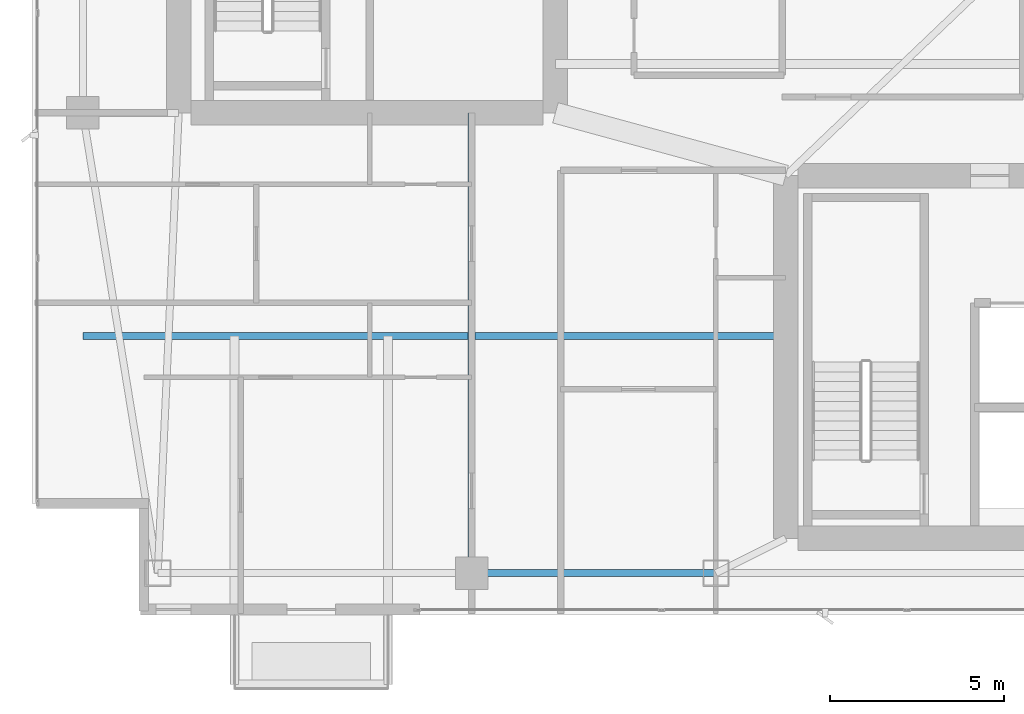
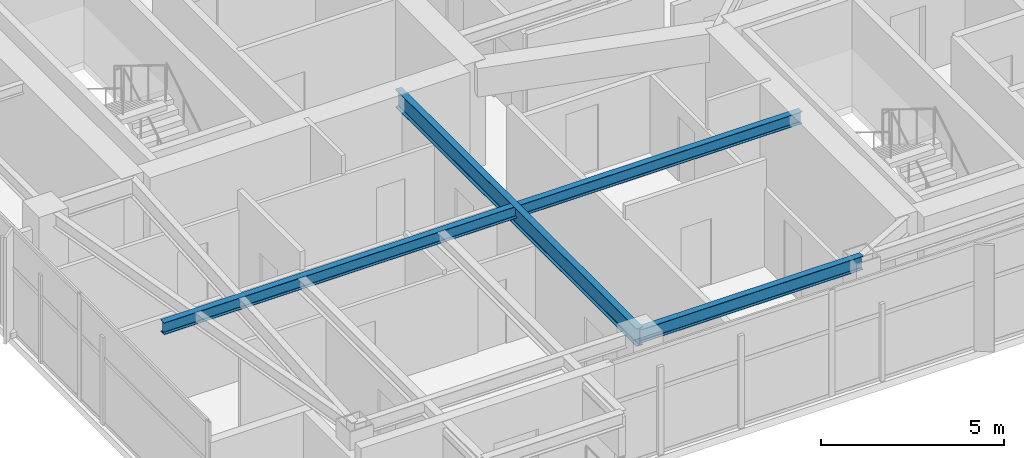
# One storey, part 5 of 27: 3 beams.
"""IFC4 building model written with IfcOpenShell, lengths in metres."""

import ifcopenshell
import ifcopenshell.guid

model = None  # the IFC model being written
_history = None  # IfcOwnerHistory: only IFC2X3 demands one
_inside = {}  # id of a spatial element -> (the spatial element, [elements in it])
_under = {}  # id of a project, library or spatial element -> (it, [spatial elements below it])
_declared = {}  # id of a project -> (the project, [libraries it declares])
_typed = {}  # id of a type object -> (the type object, [elements of that type])
_made_of = {}  # id of a material, layer set ... -> (it, [elements and type objects made of it])


def new_model(schema):
    """Start an empty IFC model of exactly this schema.

    Asked for "IFC4X3", IfcOpenShell would pick the latest addendum, in which some entities
    have other attributes; the version numbers below select the first issue.
    IFC2X3 requires an IfcOwnerHistory on every rooted entity: one is made here for all.
    """
    global model, _history
    if schema == "IFC4X3":
        model = ifcopenshell.file(schema_version=(4, 3, 0, 0))
    else:
        model = ifcopenshell.file(schema=schema)
    _inside.clear()
    _under.clear()
    _declared.clear()
    _typed.clear()
    _made_of.clear()
    _history = None
    if model.schema == "IFC2X3":
        org = make("IfcOrganization", Name="unknown")
        user = make(
            "IfcPersonAndOrganization",
            ThePerson=make("IfcPerson", FamilyName="unknown"),
            TheOrganization=org,
        )
        app = make(
            "IfcApplication",
            ApplicationDeveloper=org,
            Version="unknown",
            ApplicationFullName="unknown",
            ApplicationIdentifier="unknown",
        )
        _history = make(
            "IfcOwnerHistory",
            OwningUser=user,
            OwningApplication=app,
            ChangeAction="ADDED",
            CreationDate=0,
        )
    return model


def make(cls, **values):
    """One entity of the class cls with the attributes given. An attribute that is None is left unset."""
    return model.create_entity(
        cls, **{name: value for name, value in values.items() if value is not None}
    )


def rooted(cls, **values):
    """An entity with a GlobalId (a new one), such as an element, a storey or a relation."""
    return make(cls, GlobalId=ifcopenshell.guid.new(), OwnerHistory=_history, **values)


def si_unit(unit_type, name, prefix=None):
    """IfcSIUnit, for example si_unit("LENGTHUNIT", "METRE", prefix="MILLI")."""
    return make("IfcSIUnit", UnitType=unit_type, Prefix=prefix, Name=name)


def assignment(units):
    """IfcUnitAssignment: the units of a project."""
    return None if units is None else make("IfcUnitAssignment", Units=units)


def point(xyz):
    """IfcCartesianPoint."""
    return None if xyz is None else make("IfcCartesianPoint", Coordinates=xyz)


def direction(xyz):
    """IfcDirection."""
    return None if xyz is None else make("IfcDirection", DirectionRatios=xyz)


def frame(location, z_axis=None, x_axis=None):
    """IfcAxis2Placement3D, a coordinate frame: its origin and axes. An axis left out is left unset."""
    return make(
        "IfcAxis2Placement3D",
        Location=point(location),
        Axis=direction(z_axis),
        RefDirection=direction(x_axis),
    )


def frame_2d(location, x_axis=None):
    """IfcAxis2Placement2D, a coordinate frame in the plane: its origin and x axis."""
    return make(
        "IfcAxis2Placement2D", Location=point(location), RefDirection=direction(x_axis)
    )


def origin():
    """The frame at (0, 0, 0) with its axes left unset."""
    return frame((0.0, 0.0, 0.0))


def origin_2d():
    """The frame at (0, 0) in the plane with its x axis left unset."""
    return frame_2d((0.0, 0.0))


def place(relative_to, where):
    """IfcLocalPlacement: puts the frame where relative to a parent placement (None: the world)."""
    return make(
        "IfcLocalPlacement", PlacementRelTo=relative_to, RelativePlacement=where
    )


def context(
    kind, dimensions, precision=None, world=None, true_north=None, identifier=None
):
    """IfcGeometricRepresentationContext, for example the 3D "Model" context."""
    return make(
        "IfcGeometricRepresentationContext",
        ContextIdentifier=identifier,
        ContextType=kind,
        CoordinateSpaceDimension=dimensions,
        Precision=precision,
        WorldCoordinateSystem=world,
        TrueNorth=true_north,
    )


def subcontext(parent, identifier, kind, view, scale=None):
    """IfcGeometricRepresentationSubContext, for example "Body" below "Model"."""
    return make(
        "IfcGeometricRepresentationSubContext",
        ContextIdentifier=identifier,
        ContextType=kind,
        ParentContext=parent,
        TargetScale=scale,
        TargetView=view,
    )


def project(units=None, contexts=None):
    """IfcProject with its units and contexts."""
    return rooted(
        "IfcProject",
        Name="project",
        RepresentationContexts=contexts,
        UnitsInContext=assignment(units),
    )


def spatial(cls, under=None, at=None, **own):
    """A site, building, storey or space (cls), placed at a placement, below another one or the project."""
    s = rooted(cls, ObjectPlacement=at, **own)
    if under is not None:
        _under.setdefault(under.id(), (under, []))[1].append(s)
    return s


def profile(cls, at=None, kind="AREA", **sizes):
    """A parametric profile (cls). Its sizes go by their IFC names, for example OverallWidth=200.0."""
    return make(cls, ProfileType=kind, Position=at, **sizes)


def i_section(**sizes):
    """IfcIShapeProfileDef."""
    return profile("IfcIShapeProfileDef", **sizes)


def extrude(swept, where, along, depth):
    """IfcExtrudedAreaSolid: the profile swept, set in the frame where, extruded along a direction by depth."""
    return make(
        "IfcExtrudedAreaSolid",
        SweptArea=swept,
        Position=where,
        ExtrudedDirection=direction(along),
        Depth=depth,
    )


def shape(context_of_items, identifier, shape_type, items):
    """IfcShapeRepresentation: the items that make up one representation, for example the "Body"."""
    return make(
        "IfcShapeRepresentation",
        ContextOfItems=context_of_items,
        RepresentationIdentifier=identifier,
        RepresentationType=shape_type,
        Items=items,
    )


def material(Name=None, Category=None):
    """IfcMaterial."""
    return make("IfcMaterial", Name=Name, Category=Category)


def material_profile(
    of_material, cross_section, Name=None, Category=None, Priority=None
):
    """IfcMaterialProfile: a cross section and its material."""
    return make(
        "IfcMaterialProfile",
        Name=Name,
        Material=of_material,
        Profile=cross_section,
        Priority=Priority,
        Category=Category,
    )


def profile_set(profiles, Name=None, composite=None):
    """IfcMaterialProfileSet."""
    return make(
        "IfcMaterialProfileSet",
        Name=Name,
        MaterialProfiles=profiles,
        CompositeProfile=composite,
    )


def made_of(thing, what):
    """Note that an element or type object is made of a material, layer set ...; save() writes the relation."""
    if what is not None:
        _made_of.setdefault(what.id(), (what, []))[1].append(thing)
    return thing


def type_object(cls, material=None, **own):
    """A type object (cls), such as IfcWallType, which elements share."""
    return made_of(rooted(cls, **own), material)


def element(
    cls,
    number,
    at=None,
    inside=None,
    cuts=None,
    type_object=None,
    material=None,
    context=None,
    identifier="Body",
    shape_type=None,
    held_by="IfcProductDefinitionShape",
    body=None,
    shapes=None,
    **own,
):
    """One element of the class cls, such as IfcWall. Its Tag is "e" and its number.

    at: its placement. inside: the storey or other place that contains it. cuts: it is an
    opening in that element (IfcRelVoidsElement). A single representation is given by context,
    identifier, shape_type and body (its items); several are given by shapes. held_by: the class
    of the entity that holds the representations. save() writes the other relations.
    """
    e = rooted(cls, Tag="e%d" % number, ObjectPlacement=at, **own)
    if body is not None:
        shapes = [shape(context, identifier, shape_type, body)]
    if shapes is not None:
        e.Representation = make(held_by, Representations=shapes)
    if inside is not None:
        _inside.setdefault(inside.id(), (inside, []))[1].append(e)
    if cuts is not None:
        rooted(
            "IfcRelVoidsElement", RelatingBuildingElement=cuts, RelatedOpeningElement=e
        )
    if type_object is not None:
        _typed.setdefault(type_object.id(), (type_object, []))[1].append(e)
    return made_of(e, material)


def aggregate(whole, parts):
    """IfcRelAggregates: a whole, such as a stair, and the parts it consists of."""
    return rooted("IfcRelAggregates", RelatingObject=whole, RelatedObjects=parts)


def save(model, path):
    """Write the relations noted so far, then the file.

    IfcRelAggregates (storeys below a building ...), IfcRelContainedInSpatialStructure (elements
    in a storey), IfcRelDefinesByType, IfcRelAssociatesMaterial and IfcRelDeclares: one each for
    every whole, place, type object, material and project.
    """
    for whole, parts in _under.values():
        aggregate(whole, parts)
    for where, things in _inside.values():
        rooted(
            "IfcRelContainedInSpatialStructure",
            RelatedElements=things,
            RelatingStructure=where,
        )
    for kind, things in _typed.values():
        rooted("IfcRelDefinesByType", RelatedObjects=things, RelatingType=kind)
    for what, things in _made_of.values():
        rooted("IfcRelAssociatesMaterial", RelatedObjects=things, RelatingMaterial=what)
    for by, libraries in _declared.values():
        rooted("IfcRelDeclares", RelatingContext=by, RelatedDefinitions=libraries)
    model.write(path)


model = new_model("IFC4")

# Units and contexts
model_context = context("Model", 3, precision=1e-05, world=origin(), true_north=direction((0.0, 1.0)))
body_context = subcontext(model_context, "Body", "Model", "MODEL_VIEW")
ifc_project = project(units=[si_unit("LENGTHUNIT", "METRE"), si_unit("AREAUNIT", "SQUARE_METRE"), si_unit("VOLUMEUNIT", "CUBIC_METRE"), si_unit("PLANEANGLEUNIT", "RADIAN"), si_unit("MASSUNIT", "GRAM", prefix="KILO")], contexts=[model_context])

# Site, building, storey
site_placement = place(None, origin())
site = spatial("IfcSite", under=ifc_project, at=site_placement, CompositionType="ELEMENT")
building_placement = place(site_placement, origin())
building = spatial("IfcBuilding", under=site, at=building_placement, Name="Calvorn Quay Hotel", CompositionType="ELEMENT")
storey_placement = place(building_placement, frame((0.0, 0.0, 223.10009765625)))
storey = spatial("IfcBuildingStorey", under=building, at=storey_placement, Name="L55", CompositionType="ELEMENT", Elevation=223.10009765625)

# Beams
ifc_material_1 = material(Name="Steel Q355B", Category="steel")
ifc_material_profile_1 = material_profile(ifc_material_1, i_section(OverallWidth=0.199951171875, OverallDepth=0.60009765625, WebThickness=0.010986328125, FlangeThickness=0.01708984375, FilletRadius=0.01806640625, at=origin_2d()), Name="HN600x200x11x17")
ifc_profile_set_1 = profile_set([ifc_material_profile_1], Name="Steel Q355B")
beam_type_1 = type_object("IfcBeamType", Name="BM-GIRD-TYP", PredefinedType="BEAM", material=ifc_profile_set_1)
beam_1_placement = place(storey_placement, frame((12.60009765625, 3.60009765625, 3.239990234375), z_axis=(0.0, 1.0, 0.0), x_axis=(-1.0, 0.0, 0.0)))
element("IfcBeam", 1, at=beam_1_placement, inside=storey, type_object=beam_type_1, Name="Beam BG-L55-S1", PredefinedType="BEAM", context=body_context, shape_type="SweptSolid", body=[
    extrude(i_section(OverallWidth=0.199951171875, OverallDepth=0.60009765625, WebThickness=0.010986328125, FlangeThickness=0.01708984375, FilletRadius=0.01806640625, at=origin_2d()), origin(), (0.0, 0.0, 1.0), 13.199951171875),
])
ifc_material_2 = material(Name="Steel Q355B", Category="steel")
ifc_material_profile_2 = material_profile(ifc_material_2, i_section(OverallWidth=0.199951171875, OverallDepth=0.39990234375, WebThickness=0.008056640625, FlangeThickness=0.012939453125, FilletRadius=0.01611328125, at=origin_2d()), Name="HN400x200x8x13")
ifc_profile_set_2 = profile_set([ifc_material_profile_2], Name="Steel Q355B")
beam_type_2 = type_object("IfcBeamType", Name="BM-JOIST-TYP", PredefinedType="JOIST", material=ifc_profile_set_2)
beam_2_placement = place(storey_placement, frame((1.449951171875, 10.39990234375, 3.33984375), z_axis=(1.0, 0.0, 0.0), x_axis=(0.0, 1.0, 0.0)))
element("IfcBeam", 2, at=beam_2_placement, inside=storey, type_object=beam_type_2, Name="Beam BJ-L55-W1", PredefinedType="JOIST", context=body_context, shape_type="SweptSolid", body=[
    extrude(i_section(OverallWidth=0.199951171875, OverallDepth=0.39990234375, WebThickness=0.008056640625, FlangeThickness=0.012939453125, FilletRadius=0.01611328125, at=origin_2d()), origin(), (0.0, 0.0, 1.0), 20.150146484375),
])
ifc_material_3 = material(Name="Steel Q355B", Category="steel")
ifc_material_profile_3 = material_profile(ifc_material_3, i_section(OverallWidth=0.199951171875, OverallDepth=0.449951171875, WebThickness=0.009033203125, FlangeThickness=0.013916015625, FilletRadius=0.01611328125, at=origin_2d()), Name="HN450x200x9x14")
ifc_profile_set_3 = profile_set([ifc_material_profile_3], Name="Steel Q355B")
beam_type_3 = type_object("IfcBeamType", Name="BM-SPANDREL-Z3", PredefinedType="SPANDREL", material=ifc_profile_set_3)
beam_3_placement = place(storey_placement, frame((12.60009765625, 3.60009765625, 3.31494140625), z_axis=(1.0, 0.0, 0.0), x_axis=(0.0, 1.0, 0.0)))
element("IfcBeam", 3, at=beam_3_placement, inside=storey, type_object=beam_type_3, Name="Beam BSP-L55-S2", PredefinedType="SPANDREL", context=body_context, shape_type="SweptSolid", body=[
    extrude(i_section(OverallWidth=0.199951171875, OverallDepth=0.449951171875, WebThickness=0.009033203125, FlangeThickness=0.013916015625, FilletRadius=0.01611328125, at=origin_2d()), origin(), (0.0, 0.0, 1.0), 7.0),
])

save(model, "model.ifc")
